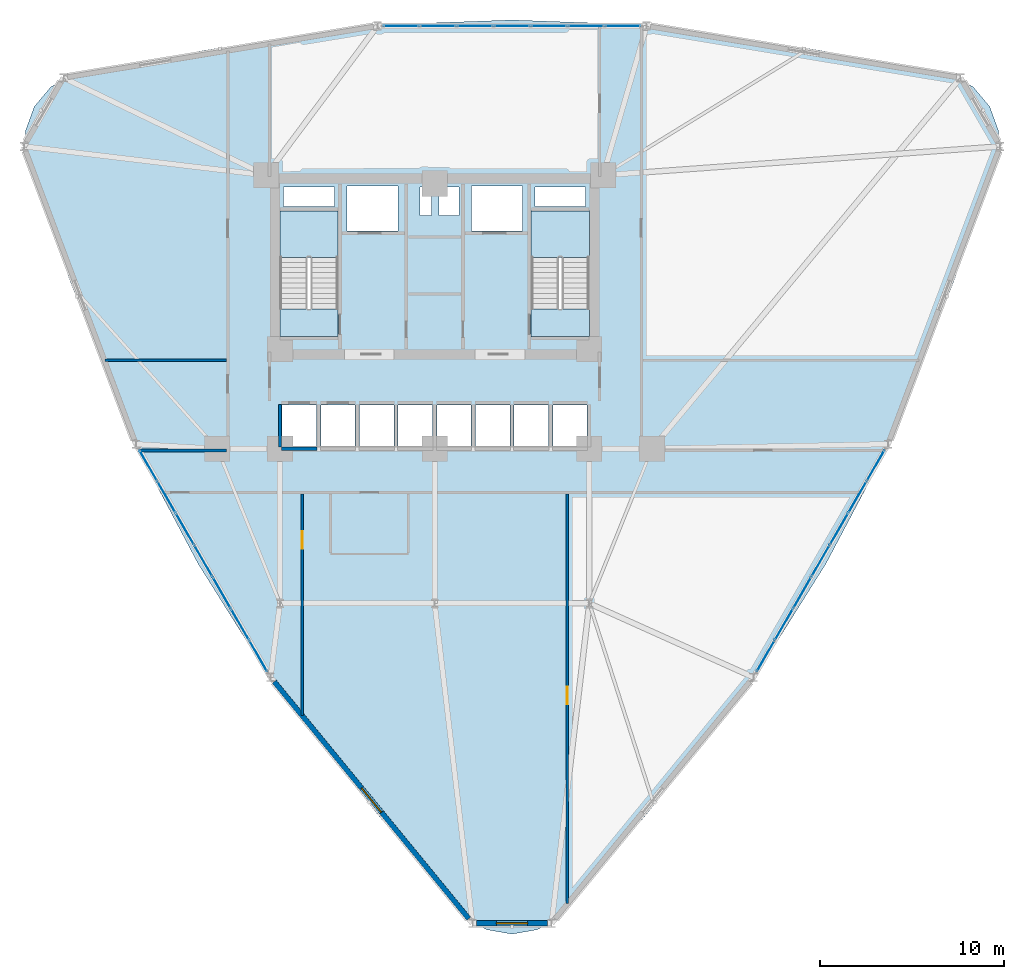
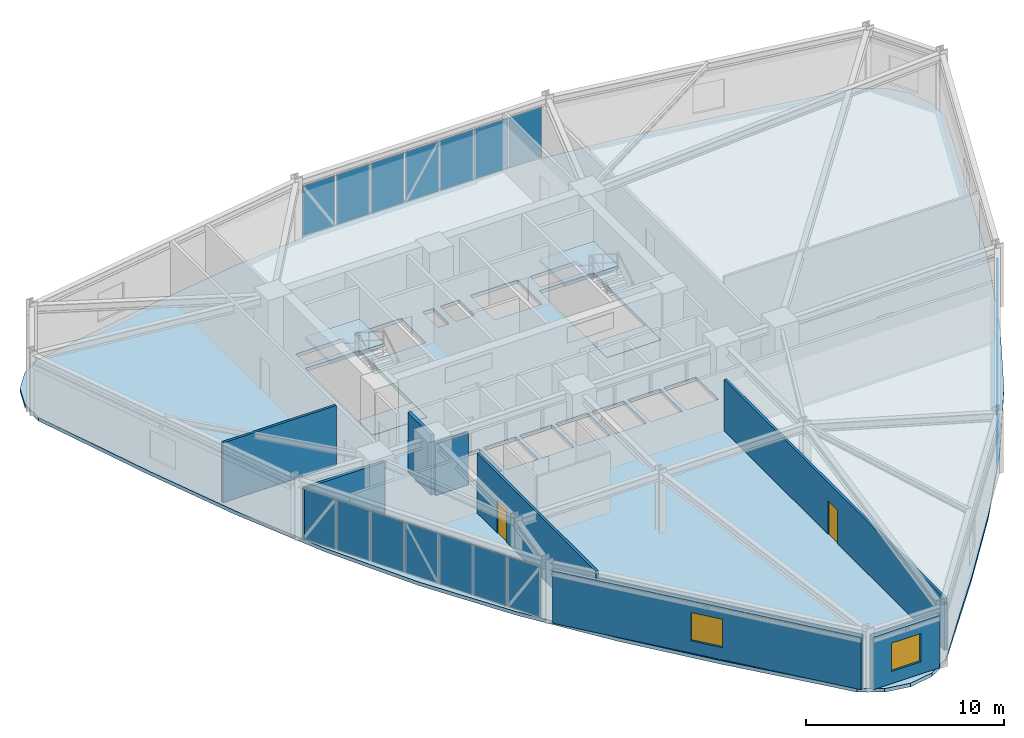
# One storey, part 13 of 20: 21 plates, 8 walls, 5 slabs, 2 doors, 2 windows, 4 openings, 5 elements without a shape of their own.
"""IFC4 building model written with IfcOpenShell, lengths in metres."""

from ifc_helpers import new_model, si_unit, derived_unit, direction, frame, frame_2d, origin, origin_2d, place, context, subcontext, project, spatial, polyline, rectangle, outline, extrude, source, transform, mapped, material, layer, layer_set, type_object, element, fill, aggregate, save


model = new_model("IFC4")

# Units and contexts
model_context = context("Model", 3, precision=1e-05, world=origin(), true_north=direction((0.0, 1.0)))
body_context = subcontext(model_context, "Body", "Model", "MODEL_VIEW")
ifc_project = project(units=[si_unit("LENGTHUNIT", "METRE"), si_unit("AREAUNIT", "SQUARE_METRE"), si_unit("VOLUMEUNIT", "CUBIC_METRE"), si_unit("PLANEANGLEUNIT", "RADIAN"), si_unit("MASSUNIT", "GRAM", prefix="KILO"), derived_unit("THERMALTRANSMITTANCEUNIT", [(si_unit("POWERUNIT", "WATT"), 1), (si_unit("LENGTHUNIT", "METRE"), -2), (si_unit("THERMODYNAMICTEMPERATUREUNIT", "KELVIN"), -1)])], contexts=[model_context])

# Site, building, storey
site_placement = place(None, origin())
site = spatial("IfcSite", under=ifc_project, at=site_placement, CompositionType="ELEMENT")
building_placement = place(site_placement, origin())
building = spatial("IfcBuilding", under=site, at=building_placement, Name="Korsvarv Bourse and Concert Hall", CompositionType="ELEMENT")
storey_placement = place(building_placement, frame((0.0, 0.0, 91.199951171875)))
storey = spatial("IfcBuildingStorey", under=building, at=storey_placement, Name="L22", CompositionType="ELEMENT", Elevation=91.199951171875)

# Slabs
ifc_material_1 = material(Name="Precast concrete C45/55", Category="concrete")
ifc_layer_1 = layer(ifc_material_1, 0.199951171875)
ifc_layer_set_1 = layer_set([ifc_layer_1], Name="Precast concrete C45/55")
slab_type_1 = type_object("IfcSlabType", Name="SLB-FLND-T", PredefinedType="LANDING", material=ifc_layer_set_1)
slab_1_placement = place(storey_placement, frame((0.0, 0.0, -0.199951171875)))
element("IfcSlab", 1, at=slab_1_placement, inside=storey, type_object=slab_type_1, Name="L22 Stair ST-T1 Floor Landing Slab", PredefinedType="LANDING", context=body_context, shape_type="SweptSolid", body=[
    extrude(outline(polyline([(30.760009765625, 38.5), (30.760009765625, 40.0), (27.60009765625, 40.0), (27.60009765625, 38.5), (30.760009765625, 38.5)])), origin(), (0.0, 0.0, 1.0), 0.199951171875),
])
slab_2_placement = place(storey_placement, frame((0.0, 0.0, -0.199951171875)))
element("IfcSlab", 2, at=slab_2_placement, inside=storey, type_object=slab_type_1, Name="L22 Stair ST-T2 Floor Landing Slab", PredefinedType="LANDING", context=body_context, shape_type="SweptSolid", body=[
    extrude(outline(polyline([(44.39990234375, 38.5), (44.39990234375, 40.0), (41.239990234375, 40.0), (41.239990234375, 38.5), (44.39990234375, 38.5)])), origin(), (0.0, 0.0, 1.0), 0.199951171875),
])

# Stair, slab
stair_type = type_object("IfcStairType", Name="STR-TYPE-03", PredefinedType="HALF_TURN_STAIR", material=ifc_material_1)
stair_1_placement = place(storey_placement, origin())
stair_1 = element("IfcStair", 3, at=stair_1_placement, inside=storey, type_object=stair_type, Name="L22 Tower West Exit Stair ST-T1", PredefinedType="HALF_TURN_STAIR")
ifc_layer_2 = layer(ifc_material_1, 0.199951171875)
ifc_layer_set_2 = layer_set([ifc_layer_2], Name="Precast concrete C45/55")
slab_type_2 = type_object("IfcSlabType", Name="SLB-ST-LND", PredefinedType="LANDING", material=ifc_layer_set_2)
slab_3_placement = place(storey_placement, frame((0.0, 0.0, 1.75)))
slab_3 = element("IfcSlab", 4, at=slab_3_placement, type_object=slab_type_2, Name="ST-T1 landing 1", PredefinedType="LANDING", context=body_context, shape_type="SweptSolid", body=[
    extrude(outline(polyline([(30.760009765625, 42.800048828125), (30.760009765625, 45.300048828125), (27.60009765625, 45.300048828125), (27.60009765625, 42.800048828125), (30.760009765625, 42.800048828125)])), origin(), (0.0, 0.0, 1.0), 0.199951171875),
])
aggregate(stair_1, [slab_3])

stair_2_placement = place(storey_placement, origin())
stair_2 = element("IfcStair", 5, at=stair_2_placement, inside=storey, type_object=stair_type, Name="L22 Tower East Exit Stair ST-T2", PredefinedType="HALF_TURN_STAIR")
slab_4_placement = place(storey_placement, frame((0.0, 0.0, 1.75)))
slab_4 = element("IfcSlab", 6, at=slab_4_placement, type_object=slab_type_2, Name="ST-T2 landing 1", PredefinedType="LANDING", context=body_context, shape_type="SweptSolid", body=[
    extrude(outline(polyline([(44.39990234375, 42.800048828125), (44.39990234375, 45.300048828125), (41.239990234375, 45.300048828125), (41.239990234375, 42.800048828125), (44.39990234375, 42.800048828125)])), origin(), (0.0, 0.0, 1.0), 0.199951171875),
])
aggregate(stair_2, [slab_4])

# Slab
ifc_material_2 = material(Name="Concrete C45/55", Category="concrete")
ifc_layer_3 = layer(ifc_material_2, 0.219970703125)
ifc_layer_set_3 = layer_set([ifc_layer_3], Name="Concrete C45/55")
slab_type_3 = type_object("IfcSlabType", Name="SLB-TW1", PredefinedType="FLOOR", material=ifc_layer_set_3)
slab_5_placement = place(storey_placement, frame((0.0, 0.0, -0.219970703125)))
element("IfcSlab", 7, at=slab_5_placement, inside=storey, type_object=slab_type_3, Name="L22 tower structural floor slab", PredefinedType="FLOOR", context=body_context, shape_type="SweptSolid", body=[
    extrude(outline(polyline([(66.087890625, 46.8076171875), (64.17333984375, 41.4423828125), (62.131591796875, 36.17578125), (59.8486328125, 31.069091796875), (57.24658203125, 26.158203125), (54.29443359375, 21.44921875), (51.013427734375, 16.918701171875), (47.473388671875, 12.517333984375), (43.784423828125, 8.176513671875), (43.781005859375, 8.17236328125), (42.78369140625, 6.984130859375), (41.57470703125, 6.2861328125), (40.199951171875, 6.043701171875), (38.8251953125, 6.2861328125), (37.6162109375, 6.984130859375), (36.619140625, 8.17236328125), (36.615478515625, 8.176513671875), (32.926513671875, 12.517333984375), (29.386474609375, 16.918701171875), (26.10546875, 21.44921875), (23.153564453125, 26.158203125), (20.551513671875, 31.069091796875), (18.268310546875, 36.17578125), (16.226806640625, 41.4423828125), (14.31201171875, 46.8076171875), (14.31005859375, 46.812744140625), (13.779541015625, 48.2705078125), (13.779541015625, 49.666259765625), (14.257080078125, 50.97802734375), (15.154296875, 52.047607421875), (16.36328125, 52.74560546875), (17.89111328125, 53.014892578125), (17.896484375, 53.015869140625), (23.5, 54.040283203125), (29.081787109375, 54.905517578125), (34.64599609375, 55.481689453125), (40.199951171875, 55.68359375), (45.754150390625, 55.481689453125), (51.318115234375, 54.905517578125), (56.89990234375, 54.040283203125), (62.503662109375, 53.015869140625), (62.5087890625, 53.014892578125), (64.03662109375, 52.74560546875), (65.24560546875, 52.047607421875), (66.142822265625, 50.978271484375), (66.620361328125, 49.666259765625), (66.620361328125, 48.2705078125), (66.08984375, 46.812744140625), (66.087890625, 46.8076171875)]), holes=[polyline([(30.760009765625, 38.5), (30.760009765625, 45.300048828125), (27.60009765625, 45.300048828125), (27.60009765625, 38.5), (30.760009765625, 38.5)]), polyline([(44.39990234375, 38.5), (44.39990234375, 45.300048828125), (41.239990234375, 45.300048828125), (41.239990234375, 38.5), (44.39990234375, 38.5)]), polyline([(31.239990234375, 44.219970703125), (34.0, 44.219970703125), (34.0, 46.679931640625), (31.239990234375, 46.679931640625), (31.239990234375, 44.219970703125)]), polyline([(38.0, 44.219970703125), (40.760009765625, 44.219970703125), (40.760009765625, 46.679931640625), (38.0, 46.679931640625), (38.0, 44.219970703125)]), polyline([(27.719970703125, 32.52001953125), (29.580078125, 32.52001953125), (29.580078125, 34.780029296875), (27.719970703125, 34.780029296875), (27.719970703125, 32.52001953125)]), polyline([(29.820068359375, 32.52001953125), (31.679931640625, 32.52001953125), (31.679931640625, 34.780029296875), (29.820068359375, 34.780029296875), (29.820068359375, 32.52001953125)]), polyline([(31.919921875, 32.52001953125), (33.780029296875, 32.52001953125), (33.780029296875, 34.780029296875), (31.919921875, 34.780029296875), (31.919921875, 32.52001953125)]), polyline([(34.02001953125, 32.52001953125), (35.8798828125, 32.52001953125), (35.8798828125, 34.780029296875), (34.02001953125, 34.780029296875), (34.02001953125, 32.52001953125)]), polyline([(36.1201171875, 32.52001953125), (37.97998046875, 32.52001953125), (37.97998046875, 34.780029296875), (36.1201171875, 34.780029296875), (36.1201171875, 32.52001953125)]), polyline([(38.219970703125, 32.52001953125), (40.080078125, 32.52001953125), (40.080078125, 34.780029296875), (38.219970703125, 34.780029296875), (38.219970703125, 32.52001953125)]), polyline([(40.320068359375, 32.52001953125), (42.179931640625, 32.52001953125), (42.179931640625, 34.780029296875), (40.320068359375, 34.780029296875), (40.320068359375, 32.52001953125)]), polyline([(42.419921875, 32.52001953125), (44.280029296875, 32.52001953125), (44.280029296875, 34.780029296875), (42.419921875, 34.780029296875), (42.419921875, 32.52001953125)]), polyline([(27.800048828125, 45.56005859375), (30.56005859375, 45.56005859375), (30.56005859375, 46.6201171875), (27.800048828125, 46.6201171875), (27.800048828125, 45.56005859375)]), polyline([(41.43994140625, 45.56005859375), (44.199951171875, 45.56005859375), (44.199951171875, 46.6201171875), (41.43994140625, 46.6201171875), (41.43994140625, 45.56005859375)]), polyline([(35.199951171875, 45.080078125), (35.840087890625, 45.080078125), (35.840087890625, 46.6201171875), (35.199951171875, 46.6201171875), (35.199951171875, 45.080078125)]), polyline([(36.239990234375, 45.080078125), (37.320068359375, 45.080078125), (37.320068359375, 46.6201171875), (36.239990234375, 46.6201171875), (36.239990234375, 45.080078125)])]), origin(), (0.0, 0.0, 1.0), 0.219970703125),
])

# Curtain wall, plates
ifc_material_3 = material(Name="Anodised aluminium and triple low-E glazing", Category="glass")
ifc_layer_4 = layer(ifc_material_3, 0.219970703125)
ifc_layer_set_4 = layer_set([ifc_layer_4], Name="Anodised aluminium and triple low-E glazing")
curtain_wall_type = type_object("IfcCurtainWallType", Name="CW-SYS-1", PredefinedType="NOTDEFINED", material=ifc_layer_set_4)
curtain_wall_1_placement = place(storey_placement, origin())
curtain_wall_1 = element("IfcCurtainWall", 8, at=curtain_wall_1_placement, inside=storey, type_object=curtain_wall_type, Name="L22 CW1 curtain wall CW-L22-F03", PredefinedType="NOTDEFINED")
ifc_material_4 = material(Name="Insulated spandrel glass", Category="glass")
ifc_layer_5 = layer(ifc_material_4, 0.031982421875)
ifc_layer_set_5 = layer_set([ifc_layer_5], Name="Insulated spandrel glass")
plate_type_1 = type_object("IfcPlateType", Name="CWP-SPD1", PredefinedType="CURTAIN_PANEL", material=ifc_layer_set_5)
shared_shape_1 = source(origin(), body_context, "Body", "SweptSolid", [
    extrude(rectangle(XDim=1.908447265625, YDim=0.031982421875, at=origin_2d()), origin(), (0.0, 0.0, 1.0), 3.10009765625),
])
plate_1_placement = place(storey_placement, frame((46.222900390625, 55.35791015625, 0.06494140625), z_axis=(0.0, 0.0, 1.0), x_axis=(-1.0, 0.0, 0.0)))
plate_1 = element("IfcPlate", 9, at=plate_1_placement, type_object=plate_type_1, Name="CW1 spandrel shadow-box panel 1.1", PredefinedType="CURTAIN_PANEL", context=body_context, shape_type="MappedRepresentation", body=[
    mapped(shared_shape_1, transform((0.0, 0.0, 0.0), scale=1.0)),
])
plate_2_placement = place(storey_placement, frame((34.17724609375, 55.35791015625, 0.06494140625), z_axis=(0.0, 0.0, 1.0), x_axis=(-1.0, 0.0, 0.0)))
plate_2 = element("IfcPlate", 10, at=plate_2_placement, type_object=plate_type_1, Name="CW1 spandrel shadow-box panel 7.1", PredefinedType="CURTAIN_PANEL", context=body_context, shape_type="MappedRepresentation", body=[
    mapped(shared_shape_1, transform((0.0, 0.0, 0.0), scale=1.0)),
])
ifc_material_5 = material(Name="Tempered triple insulated low-E architectural glass", Category="glass")
ifc_layer_6 = layer(ifc_material_5, 0.035888671875)
ifc_layer_set_6 = layer_set([ifc_layer_6], Name="Tempered triple insulated low-E architectural glass")
plate_type_2 = type_object("IfcPlateType", Name="CWP-VIS1", PredefinedType="CURTAIN_PANEL", material=ifc_layer_set_6)
shared_shape_2 = source(origin(), body_context, "Body", "SweptSolid", [
    extrude(rectangle(XDim=1.943359375, YDim=0.035888671875, at=origin_2d()), origin(), (0.0, 0.0, 1.0), 3.10009765625),
])
plate_3_placement = place(storey_placement, frame((44.226806640625, 55.35791015625, 0.06494140625), z_axis=(0.0, 0.0, 1.0), x_axis=(-1.0, 0.0, 0.0)))
plate_3 = element("IfcPlate", 11, at=plate_3_placement, type_object=plate_type_2, Name="CW1 faceted panel 2.1", PredefinedType="CURTAIN_PANEL", context=body_context, shape_type="MappedRepresentation", body=[
    mapped(shared_shape_2, transform((0.0, 0.0, 0.0), scale=1.0)),
])
plate_4_placement = place(storey_placement, frame((42.21337890625, 55.35791015625, 0.06494140625), z_axis=(0.0, 0.0, 1.0), x_axis=(-1.0, 0.0, 0.0)))
plate_4 = element("IfcPlate", 12, at=plate_4_placement, type_object=plate_type_2, Name="CW1 faceted panel 3.1", PredefinedType="CURTAIN_PANEL", context=body_context, shape_type="MappedRepresentation", body=[
    mapped(shared_shape_2, transform((0.0, 0.0, 0.0), scale=1.0)),
])
plate_5_placement = place(storey_placement, frame((38.1865234375, 55.35791015625, 0.06494140625), z_axis=(0.0, 0.0, 1.0), x_axis=(-1.0, 0.0, 0.0)))
plate_5 = element("IfcPlate", 13, at=plate_5_placement, type_object=plate_type_2, Name="CW1 faceted panel 5.1", PredefinedType="CURTAIN_PANEL", context=body_context, shape_type="MappedRepresentation", body=[
    mapped(shared_shape_2, transform((0.0, 0.0, 0.0), scale=1.0)),
])
plate_6_placement = place(storey_placement, frame((36.173095703125, 55.35791015625, 0.06494140625), z_axis=(0.0, 0.0, 1.0), x_axis=(-1.0, 0.0, 0.0)))
plate_6 = element("IfcPlate", 14, at=plate_6_placement, type_object=plate_type_2, Name="CW1 faceted panel 6.1", PredefinedType="CURTAIN_PANEL", context=body_context, shape_type="MappedRepresentation", body=[
    mapped(shared_shape_2, transform((0.0, 0.0, 0.0), scale=1.0)),
])
shared_shape_3 = source(origin(), body_context, "Body", "SweptSolid", [
    extrude(rectangle(XDim=1.943359375, YDim=0.031982421875, at=origin_2d()), origin(), (0.0, 0.0, 1.0), 3.10009765625),
])
plate_7_placement = place(storey_placement, frame((40.199951171875, 55.35791015625, 0.06494140625), z_axis=(0.0, 0.0, 1.0), x_axis=(-1.0, 0.0, 0.0)))
plate_7 = element("IfcPlate", 15, at=plate_7_placement, type_object=plate_type_1, Name="CW1 spandrel shadow-box panel 4.1", PredefinedType="CURTAIN_PANEL", context=body_context, shape_type="MappedRepresentation", body=[
    mapped(shared_shape_3, transform((0.0, 0.0, 0.0), scale=1.0)),
])
aggregate(curtain_wall_1, [plate_1, plate_3, plate_4, plate_7, plate_5, plate_6, plate_2])

curtain_wall_2_placement = place(storey_placement, origin())
curtain_wall_2 = element("IfcCurtainWall", 16, at=curtain_wall_2_placement, inside=storey, type_object=curtain_wall_type, Name="L22 CW1 curtain wall CW-L22-F07", PredefinedType="NOTDEFINED")
shared_shape_4 = source(origin(), body_context, "Body", "SweptSolid", [
    extrude(rectangle(XDim=1.888671875, YDim=0.031982421875, at=origin_2d()), origin(), (0.0, 0.0, 1.0), 3.10009765625),
])
plate_8_placement = place(storey_placement, frame((20.453857421875, 31.485595703125, 0.06494140625), z_axis=(0.0, 0.0, 1.0), x_axis=(0.499998687942, -0.8660261613, 0.0)))
plate_8 = element("IfcPlate", 17, at=plate_8_placement, type_object=plate_type_1, Name="CW1 spandrel shadow-box panel 1.1", PredefinedType="CURTAIN_PANEL", context=body_context, shape_type="MappedRepresentation", body=[
    mapped(shared_shape_4, transform((0.0, 0.0, 0.0), scale=1.0)),
])
plate_9_placement = place(storey_placement, frame((26.417236328125, 21.15673828125, 0.06494140625), z_axis=(0.0, 0.0, 1.0), x_axis=(0.499998687942, -0.8660261613, 0.0)))
plate_9 = element("IfcPlate", 18, at=plate_9_placement, type_object=plate_type_1, Name="CW1 spandrel shadow-box panel 7.1", PredefinedType="CURTAIN_PANEL", context=body_context, shape_type="MappedRepresentation", body=[
    mapped(shared_shape_4, transform((0.0, 0.0, 0.0), scale=1.0)),
])

curtain_wall_3_placement = place(storey_placement, origin())
curtain_wall_3 = element("IfcCurtainWall", 19, at=curtain_wall_3_placement, inside=storey, type_object=curtain_wall_type, Name="L22 CW1 curtain wall CW-L22-F11", PredefinedType="NOTDEFINED")
plate_10_placement = place(storey_placement, frame((53.982666015625, 21.15673828125, 0.06494140625), z_axis=(0.0, 0.0, 1.0), x_axis=(0.499998687942, 0.8660261613, 0.0)))
plate_10 = element("IfcPlate", 20, at=plate_10_placement, type_object=plate_type_1, Name="CW1 spandrel shadow-box panel 1.1", PredefinedType="CURTAIN_PANEL", context=body_context, shape_type="MappedRepresentation", body=[
    mapped(shared_shape_4, transform((0.0, 0.0, 0.0), scale=1.0)),
])
plate_11_placement = place(storey_placement, frame((59.946044921875, 31.485595703125, 0.06494140625), z_axis=(0.0, 0.0, 1.0), x_axis=(0.499998687942, 0.8660261613, 0.0)))
plate_11 = element("IfcPlate", 21, at=plate_11_placement, type_object=plate_type_1, Name="CW1 spandrel shadow-box panel 7.1", PredefinedType="CURTAIN_PANEL", context=body_context, shape_type="MappedRepresentation", body=[
    mapped(shared_shape_4, transform((0.0, 0.0, 0.0), scale=1.0)),
])

# Plate
shared_shape_5 = source(origin(), body_context, "Body", "SweptSolid", [
    extrude(rectangle(XDim=1.923583984375, YDim=0.035888671875, at=origin_2d()), origin(), (0.0, 0.0, 1.0), 3.10009765625),
])
plate_12_placement = place(storey_placement, frame((21.44189453125, 29.774169921875, 0.06494140625), z_axis=(0.0, 0.0, 1.0), x_axis=(0.499998687942, -0.8660261613, 0.0)))
plate_12 = element("IfcPlate", 22, at=plate_12_placement, type_object=plate_type_2, Name="CW1 faceted panel 2.1", PredefinedType="CURTAIN_PANEL", context=body_context, shape_type="MappedRepresentation", body=[
    mapped(shared_shape_5, transform((0.0, 0.0, 0.0), scale=1.0)),
])

plate_13_placement = place(storey_placement, frame((22.438720703125, 28.047607421875, 0.06494140625), z_axis=(0.0, 0.0, 1.0), x_axis=(0.499998687942, -0.8660261613, 0.0)))
plate_13 = element("IfcPlate", 23, at=plate_13_placement, type_object=plate_type_2, Name="CW1 faceted panel 3.1", PredefinedType="CURTAIN_PANEL", context=body_context, shape_type="MappedRepresentation", body=[
    mapped(shared_shape_5, transform((0.0, 0.0, 0.0), scale=1.0)),
])

plate_14_placement = place(storey_placement, frame((24.432373046875, 24.594482421875, 0.06494140625), z_axis=(0.0, 0.0, 1.0), x_axis=(0.499998687942, -0.8660261613, 0.0)))
plate_14 = element("IfcPlate", 24, at=plate_14_placement, type_object=plate_type_2, Name="CW1 faceted panel 5.1", PredefinedType="CURTAIN_PANEL", context=body_context, shape_type="MappedRepresentation", body=[
    mapped(shared_shape_5, transform((0.0, 0.0, 0.0), scale=1.0)),
])

plate_15_placement = place(storey_placement, frame((25.42919921875, 22.8681640625, 0.06494140625), z_axis=(0.0, 0.0, 1.0), x_axis=(0.499998687942, -0.8660261613, 0.0)))
plate_15 = element("IfcPlate", 25, at=plate_15_placement, type_object=plate_type_2, Name="CW1 faceted panel 6.1", PredefinedType="CURTAIN_PANEL", context=body_context, shape_type="MappedRepresentation", body=[
    mapped(shared_shape_5, transform((0.0, 0.0, 0.0), scale=1.0)),
])

plate_16_placement = place(storey_placement, frame((54.970703125, 22.8681640625, 0.06494140625), z_axis=(0.0, 0.0, 1.0), x_axis=(0.499998687942, 0.8660261613, 0.0)))
plate_16 = element("IfcPlate", 26, at=plate_16_placement, type_object=plate_type_2, Name="CW1 faceted panel 2.1", PredefinedType="CURTAIN_PANEL", context=body_context, shape_type="MappedRepresentation", body=[
    mapped(shared_shape_5, transform((0.0, 0.0, 0.0), scale=1.0)),
])

plate_17_placement = place(storey_placement, frame((55.967529296875, 24.594482421875, 0.06494140625), z_axis=(0.0, 0.0, 1.0), x_axis=(0.499998687942, 0.8660261613, 0.0)))
plate_17 = element("IfcPlate", 27, at=plate_17_placement, type_object=plate_type_2, Name="CW1 faceted panel 3.1", PredefinedType="CURTAIN_PANEL", context=body_context, shape_type="MappedRepresentation", body=[
    mapped(shared_shape_5, transform((0.0, 0.0, 0.0), scale=1.0)),
])

plate_18_placement = place(storey_placement, frame((57.961181640625, 28.047607421875, 0.06494140625), z_axis=(0.0, 0.0, 1.0), x_axis=(0.499998687942, 0.8660261613, 0.0)))
plate_18 = element("IfcPlate", 28, at=plate_18_placement, type_object=plate_type_2, Name="CW1 faceted panel 5.1", PredefinedType="CURTAIN_PANEL", context=body_context, shape_type="MappedRepresentation", body=[
    mapped(shared_shape_5, transform((0.0, 0.0, 0.0), scale=1.0)),
])

plate_19_placement = place(storey_placement, frame((58.9580078125, 29.774169921875, 0.06494140625), z_axis=(0.0, 0.0, 1.0), x_axis=(0.499998687942, 0.8660261613, 0.0)))
plate_19 = element("IfcPlate", 29, at=plate_19_placement, type_object=plate_type_2, Name="CW1 faceted panel 6.1", PredefinedType="CURTAIN_PANEL", context=body_context, shape_type="MappedRepresentation", body=[
    mapped(shared_shape_5, transform((0.0, 0.0, 0.0), scale=1.0)),
])

shared_shape_6 = source(origin(), body_context, "Body", "SweptSolid", [
    extrude(rectangle(XDim=1.923583984375, YDim=0.031982421875, at=origin_2d()), origin(), (0.0, 0.0, 1.0), 3.10009765625),
])
plate_20_placement = place(storey_placement, frame((23.435546875, 26.321044921875, 0.06494140625), z_axis=(0.0, 0.0, 1.0), x_axis=(0.499998687942, -0.8660261613, 0.0)))
plate_20 = element("IfcPlate", 30, at=plate_20_placement, type_object=plate_type_1, Name="CW1 spandrel shadow-box panel 4.1", PredefinedType="CURTAIN_PANEL", context=body_context, shape_type="MappedRepresentation", body=[
    mapped(shared_shape_6, transform((0.0, 0.0, 0.0), scale=1.0)),
])

aggregate(curtain_wall_2, [plate_8, plate_12, plate_13, plate_20, plate_14, plate_15, plate_9])

plate_21_placement = place(storey_placement, frame((56.96435546875, 26.321044921875, 0.06494140625), z_axis=(0.0, 0.0, 1.0), x_axis=(0.499998687942, 0.8660261613, 0.0)))
plate_21 = element("IfcPlate", 31, at=plate_21_placement, type_object=plate_type_1, Name="CW1 spandrel shadow-box panel 4.1", PredefinedType="CURTAIN_PANEL", context=body_context, shape_type="MappedRepresentation", body=[
    mapped(shared_shape_6, transform((0.0, 0.0, 0.0), scale=1.0)),
])

aggregate(curtain_wall_3, [plate_10, plate_16, plate_17, plate_21, plate_18, plate_19, plate_11])

# Wall, opening, window
ifc_material_6 = material(Name="Precast concrete C45/55 with terracotta rainscreen", Category="concrete")
ifc_layer_7 = layer(ifc_material_6, 0.300048828125)
ifc_layer_set_7 = layer_set([ifc_layer_7], Name="Precast concrete C45/55 with terracotta rainscreen")
wall_type_1 = type_object("IfcWallType", Name="WL-EXT-TC1", PredefinedType="SOLIDWALL", material=ifc_layer_set_7)
wall_1_placement = place(storey_placement, frame((38.2666015625, 6.63623046875, 0.0), z_axis=(0.0, 0.0, 1.0), x_axis=(1.0, 0.0, 0.0)))
wall_1 = element("IfcWall", 32, at=wall_1_placement, inside=storey, type_object=wall_type_1, Name="L22 terracotta exterior wall EW-L22-B09", PredefinedType="SOLIDWALL", context=body_context, shape_type="SweptSolid", body=[
    extrude(rectangle(XDim=3.866943359375, YDim=0.300048828125, at=frame_2d((1.93359375, 0.0))), origin(), (0.0, 0.0, 1.0), 3.22998046875),
])
opening_1_placement = place(wall_1_placement, frame((1.08349609375, 0.0, 0.75)))
opening_1 = element("IfcOpeningElement", 33, at=opening_1_placement, cuts=wall_1, Name="Opening W-01", PredefinedType="OPENING", context=body_context, shape_type="SweptSolid", body=[
    extrude(rectangle(XDim=1.699951171875, YDim=1.75, at=frame_2d((0.85009765625, 0.875))), frame((0.0, 0.16015625, 0.0), z_axis=(0.0, -1.0, 0.0), x_axis=(1.0, 0.0, 0.0)), (0.0, 0.0, 1.0), 0.320068359375),
])
ifc_material_7 = material(Name="Thermally broken aluminium frame with triple low-E glass", Category="glass")
window_type = type_object("IfcWindowType", Name="WIN-TW1", PartitioningType="SINGLE_PANEL", PredefinedType="WINDOW", material=ifc_material_7)
window_1_placement = place(opening_1_placement, origin())
window_1 = element("IfcWindow", 34, at=window_1_placement, inside=storey, type_object=window_type, Name="L22 punched facade window W-01", OverallHeight=1.75, OverallWidth=1.699951171875, PartitioningType="SINGLE_PANEL", PredefinedType="WINDOW", context=body_context, shape_type="SweptSolid", body=[
    extrude(rectangle(XDim=1.699951171875, YDim=1.75, at=frame_2d((0.85009765625, 0.875))), frame((0.0, 0.030029296875, 0.0), z_axis=(0.0, -1.0, 0.0), x_axis=(1.0, 0.0, 0.0)), (0.0, 0.0, 1.0), 0.06005859375),
])
fill(opening_1, window_1)

ifc_material_8 = material(Name="Precast concrete C45/55 with fluted terracotta pier", Category="concrete")
ifc_layer_8 = layer(ifc_material_8, 0.280029296875)
ifc_layer_set_8 = layer_set([ifc_layer_8], Name="Precast concrete C45/55 with fluted terracotta pier")
wall_type_2 = type_object("IfcWallType", Name="WL-EXT-TC2", PredefinedType="SOLIDWALL", material=ifc_layer_set_8)
wall_2_placement = place(storey_placement, frame((27.288818359375, 19.749267578125, 0.0), z_axis=(0.0, 0.0, 1.0), x_axis=(0.634363798099, -0.77303465101, 0.0)))
wall_2 = element("IfcWall", 35, at=wall_2_placement, inside=storey, type_object=wall_type_2, Name="L22 terracotta exterior wall EW-L22-B08", PredefinedType="SOLIDWALL", context=body_context, shape_type="SweptSolid", body=[
    extrude(rectangle(XDim=16.649658203125, YDim=0.280029296875, at=frame_2d((8.32470703125, 0.0))), origin(), (0.0, 0.0, 1.0), 3.22998046875),
])
opening_2_placement = place(wall_2_placement, frame((7.47509765625, 0.0, 0.75)))
opening_2 = element("IfcOpeningElement", 36, at=opening_2_placement, cuts=wall_2, Name="Opening W-01", PredefinedType="OPENING", context=body_context, shape_type="SweptSolid", body=[
    extrude(rectangle(XDim=1.699951171875, YDim=1.75, at=frame_2d((0.85009765625, 0.875))), frame((0.0, 0.14990234375, 0.0), z_axis=(0.0, -1.0, 0.0), x_axis=(1.0, 0.0, 0.0)), (0.0, 0.0, 1.0), 0.300048828125),
])
window_2_placement = place(opening_2_placement, origin())
window_2 = element("IfcWindow", 37, at=window_2_placement, inside=storey, type_object=window_type, Name="L22 punched facade window W-01", OverallHeight=1.75, OverallWidth=1.699951171875, PartitioningType="SINGLE_PANEL", PredefinedType="WINDOW", context=body_context, shape_type="SweptSolid", body=[
    extrude(rectangle(XDim=1.699951171875, YDim=1.75, at=frame_2d((0.85009765625, 0.875))), frame((0.0, 0.030029296875, 0.0), z_axis=(0.0, -1.0, 0.0), x_axis=(1.0, 0.0, 0.0)), (0.0, 0.0, 1.0), 0.06005859375),
])
fill(opening_2, window_2)

# Walls
ifc_material_9 = material(Name="Double-stud fire-rated acoustic partition", Category="gypsum")
ifc_layer_9 = layer(ifc_material_9, 0.159912109375)
ifc_layer_set_9 = layer_set([ifc_layer_9], Name="Double-stud fire-rated acoustic partition")
wall_type_3 = type_object("IfcWallType", Name="WL-INT-EI60", PredefinedType="PARTITIONING", material=ifc_layer_set_9)
wall_3_placement = place(storey_placement, frame((19.9951171875, 32.31494140625, 0.0), z_axis=(0.0, 0.0, 1.0), x_axis=(1.0, 0.0, 0.0)))
element("IfcWall", 38, at=wall_3_placement, inside=storey, type_object=wall_type_3, Name="L22 interior partition wall W-L22-TCOR-07", PredefinedType="PARTITIONING", context=body_context, shape_type="SweptSolid", body=[
    extrude(rectangle(XDim=4.697998046875, YDim=0.159912109375, at=frame_2d((2.34912109375, 0.0))), origin(), (0.0, 0.0, 1.0), 3.179931640625),
])
ifc_material_10 = material(Name="Gypsum-clad autoclaved concrete shaft wall C30/37", Category="concrete")
ifc_layer_10 = layer(ifc_material_10, 0.179931640625)
ifc_layer_set_10 = layer_set([ifc_layer_10], Name="Gypsum-clad autoclaved concrete shaft wall C30/37")
wall_type_4 = type_object("IfcWallType", Name="WL-INT-EI90", PredefinedType="PARTITIONING", material=ifc_layer_set_10)
wall_4_placement = place(storey_placement, frame((27.68994140625, 32.39990234375, 0.0), z_axis=(0.0, 0.0, 1.0), x_axis=(1.0, 0.0, 0.0)))
element("IfcWall", 39, at=wall_4_placement, inside=storey, type_object=wall_type_4, Name="L22 interior partition wall W-L22-SHFS-PL1", PredefinedType="PARTITIONING", context=body_context, shape_type="SweptSolid", body=[
    extrude(rectangle(XDim=1.920166015625, YDim=0.179931640625, at=frame_2d((0.9599609375, 0.0))), origin(), (0.0, 0.0, 1.0), 3.179931640625),
])
wall_5_placement = place(storey_placement, frame((27.60009765625, 32.489990234375, 0.0), z_axis=(0.0, 0.0, 1.0), x_axis=(0.0, 1.0, 0.0)))
element("IfcWall", 40, at=wall_5_placement, inside=storey, type_object=wall_type_4, Name="L22 interior partition wall W-L22-SHFW-PL1", PredefinedType="PARTITIONING", context=body_context, shape_type="SweptSolid", body=[
    extrude(rectangle(XDim=2.320068359375, YDim=0.179931640625, at=frame_2d((1.16015625, 0.0))), origin(), (0.0, 0.0, 1.0), 3.679931640625),
])

# Wall, opening, door
ifc_material_11 = material(Name="Insulated steel-stud office acoustic partition", Category="gypsum")
ifc_layer_11 = layer(ifc_material_11, 0.139892578125)
ifc_layer_set_11 = layer_set([ifc_layer_11], Name="Insulated steel-stud office acoustic partition")
wall_type_5 = type_object("IfcWallType", Name="WL-INT-P1", PredefinedType="PARTITIONING", material=ifc_layer_set_11)
wall_6_placement = place(storey_placement, frame((43.205078125, 7.697509765625, 0.0), z_axis=(0.0, 0.0, 1.0), x_axis=(0.0, 1.0, 0.0)))
wall_6 = element("IfcWall", 41, at=wall_6_placement, inside=storey, type_object=wall_type_5, Name="L22 interior partition wall W-L22-TCOR-08", PredefinedType="PARTITIONING", context=body_context, shape_type="SweptSolid", body=[
    extrude(rectangle(XDim=22.24560546875, YDim=0.139892578125, at=frame_2d((11.122802734375, 0.0))), origin(), (0.0, 0.0, 1.0), 3.179931640625),
])
opening_3_placement = place(wall_6_placement, frame((10.8212890625, 0.0, 0.0)))
opening_3 = element("IfcOpeningElement", 42, at=opening_3_placement, cuts=wall_6, Name="Opening D-03", PredefinedType="OPENING", context=body_context, shape_type="SweptSolid", body=[
    extrude(rectangle(XDim=0.949951171875, YDim=2.050048828125, at=frame_2d((0.47509765625, 1.02490234375))), frame((0.0, 0.080078125, 0.0), z_axis=(0.0, -1.0, 0.0), x_axis=(1.0, 0.0, 0.0)), (0.0, 0.0, 1.0), 0.159912109375),
])
ifc_material_12 = material(Name="Nordic oak acoustic office door", Category="wood")
door_type = type_object("IfcDoorType", Name="DR-INT-1", OperationType="NOTDEFINED", PredefinedType="DOOR", material=ifc_material_12)
door_1_placement = place(opening_3_placement, origin())
door_1 = element("IfcDoor", 43, at=door_1_placement, inside=storey, type_object=door_type, Name="L22 interior door DR-L22-TCOR-R035", OperationType="SINGLE_SWING_LEFT", OverallHeight=2.050048828125, OverallWidth=0.949951171875, PredefinedType="DOOR", context=body_context, shape_type="SweptSolid", body=[
    extrude(rectangle(XDim=0.949951171875, YDim=2.050048828125, at=frame_2d((0.47509765625, 1.02490234375))), frame((0.0, 0.02490234375, 0.0), z_axis=(0.0, -1.0, 0.0), x_axis=(1.0, 0.0, 0.0)), (0.0, 0.0, 1.0), 0.050048828125),
])
fill(opening_3, door_1)

wall_7_placement = place(storey_placement, frame((28.804931640625, 17.92138671875, 0.0), z_axis=(0.0, 0.0, 1.0), x_axis=(0.0, 1.0, 0.0)))
wall_7 = element("IfcWall", 44, at=wall_7_placement, inside=storey, type_object=wall_type_5, Name="L22 interior partition wall W-L22-TCOR-10", PredefinedType="PARTITIONING", context=body_context, shape_type="SweptSolid", body=[
    extrude(rectangle(XDim=12.021728515625, YDim=0.139892578125, at=frame_2d((6.0107421875, 0.0))), origin(), (0.0, 0.0, 1.0), 3.679931640625),
])
opening_4_placement = place(wall_7_placement, frame((9.036865234375, 0.0, 0.0)))
opening_4 = element("IfcOpeningElement", 45, at=opening_4_placement, cuts=wall_7, Name="Opening D-03", PredefinedType="OPENING", context=body_context, shape_type="SweptSolid", body=[
    extrude(rectangle(XDim=0.949951171875, YDim=2.050048828125, at=frame_2d((0.47509765625, 1.02490234375))), frame((0.0, 0.080078125, 0.0), z_axis=(0.0, -1.0, 0.0), x_axis=(1.0, 0.0, 0.0)), (0.0, 0.0, 1.0), 0.159912109375),
])
door_2_placement = place(opening_4_placement, origin())
door_2 = element("IfcDoor", 46, at=door_2_placement, inside=storey, type_object=door_type, Name="L22 interior door DR-L22-TCOR-R014", OperationType="SINGLE_SWING_RIGHT", OverallHeight=2.050048828125, OverallWidth=0.949951171875, PredefinedType="DOOR", context=body_context, shape_type="SweptSolid", body=[
    extrude(rectangle(XDim=0.949951171875, YDim=2.050048828125, at=frame_2d((0.47509765625, 1.02490234375))), frame((0.0, 0.02490234375, 0.0), z_axis=(0.0, -1.0, 0.0), x_axis=(1.0, 0.0, 0.0)), (0.0, 0.0, 1.0), 0.050048828125),
])
fill(opening_4, door_2)

# Wall
wall_8_placement = place(storey_placement, frame((18.0869140625, 37.205078125, 0.0), z_axis=(0.0, 0.0, 1.0), x_axis=(1.0, 0.0, 0.0)))
element("IfcWall", 47, at=wall_8_placement, inside=storey, type_object=wall_type_5, Name="L22 interior partition wall W-L22-TCOR-11", PredefinedType="PARTITIONING", context=body_context, shape_type="SweptSolid", body=[
    extrude(rectangle(XDim=6.606201171875, YDim=0.139892578125, at=frame_2d((3.30322265625, 0.0))), origin(), (0.0, 0.0, 1.0), 3.679931640625),
])

save(model, "model.ifc")
